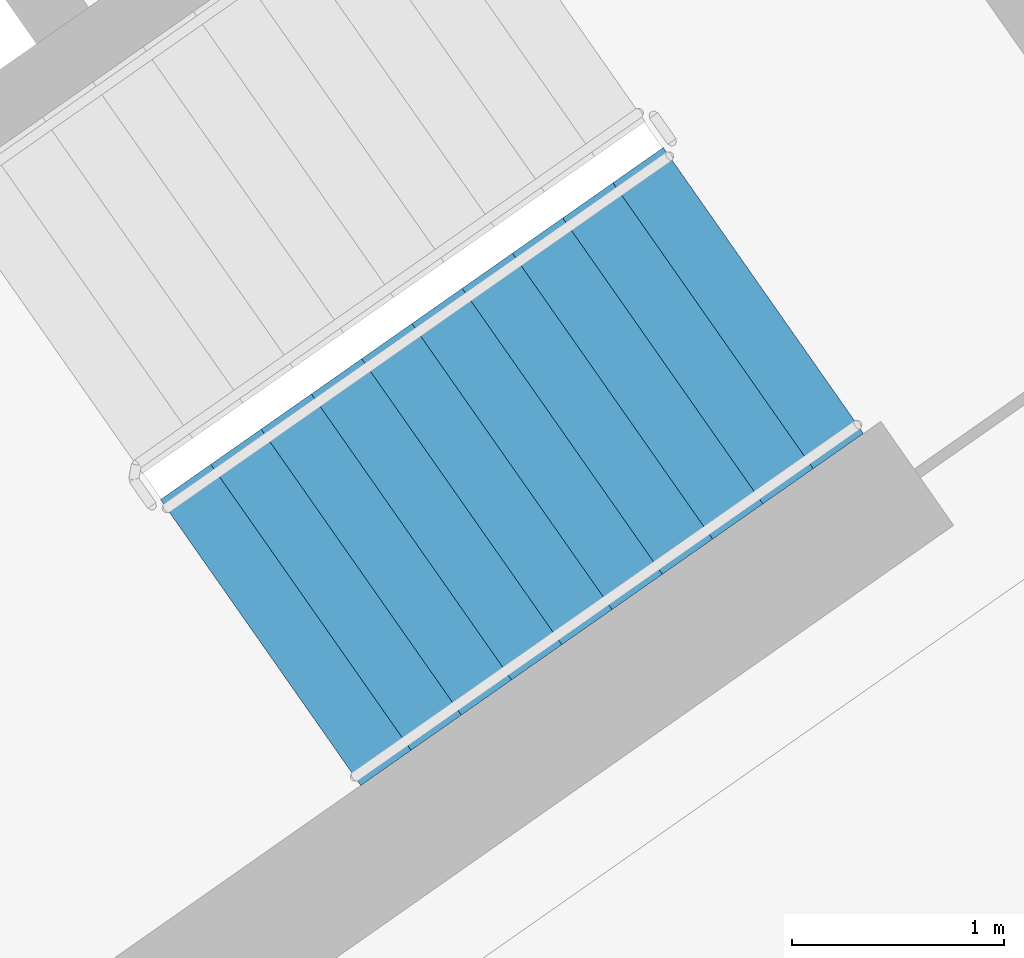
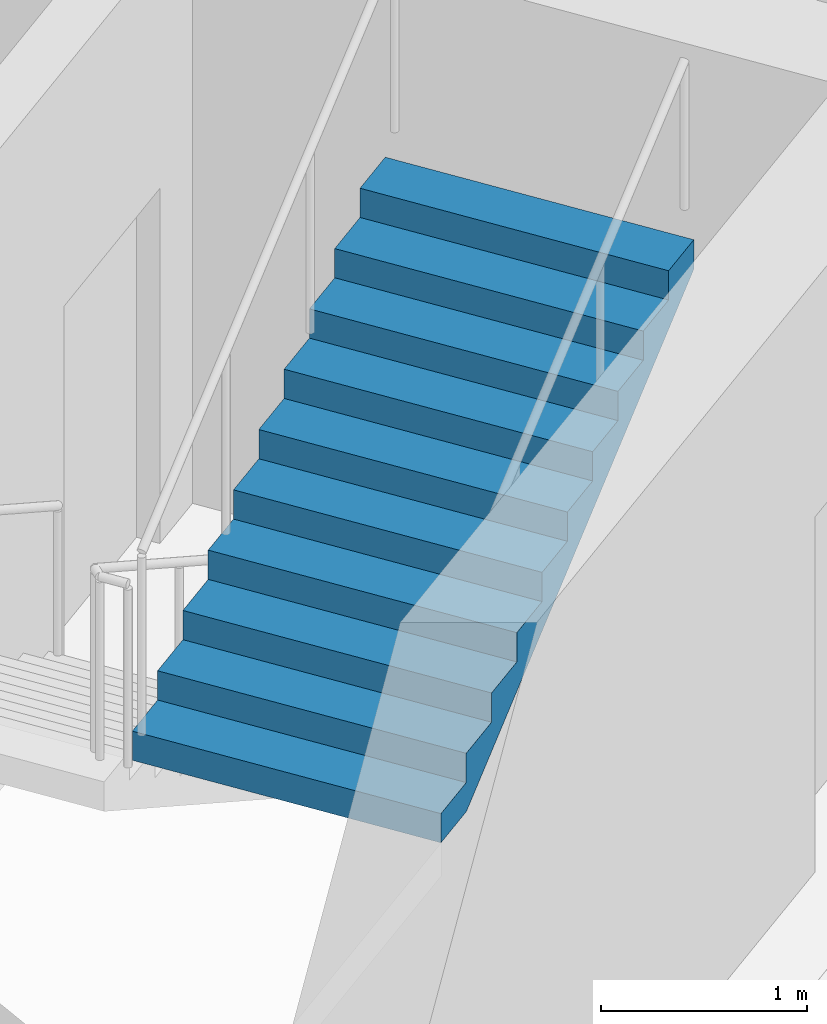
# One storey, part 15 of 26: 1 stair flight, 1 element without a shape of its own.
"""IFC4 building model written with IfcOpenShell, lengths in metres."""

from ifc_helpers import new_model, si_unit, direction, frame, origin, place, context, subcontext, project, spatial, faceted_brep, material, type_object, element, aggregate, save


model = new_model("IFC4")

# Units and contexts
model_context = context("Model", 3, precision=1e-05, world=origin(), true_north=direction((0.0, 1.0)))
body_context = subcontext(model_context, "Body", "Model", "MODEL_VIEW")
ifc_project = project(units=[si_unit("LENGTHUNIT", "METRE"), si_unit("AREAUNIT", "SQUARE_METRE"), si_unit("VOLUMEUNIT", "CUBIC_METRE"), si_unit("PLANEANGLEUNIT", "RADIAN"), si_unit("MASSUNIT", "GRAM", prefix="KILO")], contexts=[model_context])

# Site, building, storey
site_placement = place(None, origin())
site = spatial("IfcSite", under=ifc_project, at=site_placement, CompositionType="ELEMENT")
building_placement = place(site_placement, origin())
building = spatial("IfcBuilding", under=site, at=building_placement, Name="Qamariyya Broadcast Tower", CompositionType="ELEMENT")
storey_placement = place(building_placement, frame((0.0, 0.0, 183.5)))
storey = spatial("IfcBuildingStorey", under=building, at=storey_placement, Name="L43", CompositionType="ELEMENT", Elevation=183.5)

# Stair, stair flight
ifc_material = material(Name="Concrete C50/60", Category="concrete")
stair_type = type_object("IfcStairType", Name="Exit stair 22 risers of 173 mm", PredefinedType="HALF_TURN_STAIR", material=ifc_material)
stair_placement = place(storey_placement, origin())
stair = element("IfcStair", 1, at=stair_placement, inside=storey, type_object=stair_type, Name="L43 Stair E1", PredefinedType="HALF_TURN_STAIR")
stair_flight_type = type_object("IfcStairFlightType", Name="Exit stair flight 11 risers of 173 mm", PredefinedType="STRAIGHT", material=ifc_material)
stair_flight_placement = place(storey_placement, frame((44.693359375, -58.64599609375, 1.89990234375), z_axis=(0.0, 0.0, 1.0), x_axis=(0.819152044289, 0.573576436351, 0.0)))
stair_flight = element("IfcStairFlight", 2, at=stair_flight_placement, type_object=stair_flight_type, Name="ST-E1 flight 2", NumberOfRisers=11, NumberOfTreads=10, PredefinedType="STRAIGHT", RiserHeight=0.172727273, TreadLength=0.29, context=body_context, shape_type="Brep", body=[
    faceted_brep([(0.0, 0.824951171875, 0.0), (0.0, 0.824951171875, 0.172607421875), (0.2900390625, 0.824951171875, 0.172607421875), (0.2900390625, 0.824951171875, 0.345458984375), (0.580078125, 0.824951171875, 0.345458984375), (0.580078125, 0.824951171875, 0.51806640625), (0.8701171875, 0.824951171875, 0.51806640625), (0.8701171875, 0.824951171875, 0.69091796875), (1.159912109375, 0.824951171875, 0.69091796875), (1.159912109375, 0.824951171875, 0.863525390625), (1.449951171875, 0.824951171875, 0.863525390625), (1.449951171875, 0.824951171875, 1.036376953125), (1.739990234375, 0.824951171875, 1.036376953125), (1.739990234375, 0.824951171875, 1.208984375), (2.030029296875, 0.824951171875, 1.208984375), (2.030029296875, 0.824951171875, 1.3818359375), (2.320068359375, 0.824951171875, 1.3818359375), (2.320068359375, 0.824951171875, 1.554443359375), (2.610107421875, 0.824951171875, 1.554443359375), (2.610107421875, 0.824951171875, 1.727294921875), (2.89990234375, 0.824951171875, 1.727294921875), (2.89990234375, 0.824951171875, 1.552734375), (0.29296875, 0.824951171875, 0.0), (0.29296875, -0.824951171875, 0.0), (2.89990234375, -0.824951171875, 1.552734375), (2.89990234375, -0.824951171875, 1.727294921875), (2.610107421875, -0.824951171875, 1.727294921875), (2.610107421875, -0.824951171875, 1.554443359375), (2.320068359375, -0.824951171875, 1.554443359375), (2.320068359375, -0.824951171875, 1.3818359375), (2.030029296875, -0.824951171875, 1.3818359375), (2.030029296875, -0.824951171875, 1.208984375), (1.739990234375, -0.824951171875, 1.208984375), (1.739990234375, -0.824951171875, 1.036376953125), (1.449951171875, -0.824951171875, 1.036376953125), (1.449951171875, -0.824951171875, 0.863525390625), (1.159912109375, -0.824951171875, 0.863525390625), (1.159912109375, -0.824951171875, 0.69091796875), (0.8701171875, -0.824951171875, 0.69091796875), (0.8701171875, -0.824951171875, 0.51806640625), (0.580078125, -0.824951171875, 0.51806640625), (0.580078125, -0.824951171875, 0.345458984375), (0.2900390625, -0.824951171875, 0.345458984375), (0.2900390625, -0.824951171875, 0.172607421875), (0.0, -0.824951171875, 0.172607421875), (0.0, -0.824951171875, 0.0), (0.0, 0.10009765625, 0.0), (0.0, 0.086669921875, 0.0), (0.0, 0.0732421875, 0.0), (0.0, 0.06005859375, 0.0), (0.0, 0.046630859375, 0.0), (0.0, 0.033447265625, 0.0), (0.0, 0.02001953125, 0.0), (0.0, 0.006591796875, 0.0), (0.0, -0.006591796875, 0.0), (0.0, -0.02001953125, 0.0), (0.0, -0.033447265625, 0.0), (0.0, -0.046630859375, 0.0), (0.0, -0.06005859375, 0.0), (0.0, -0.0732421875, 0.0), (0.0, -0.086669921875, 0.0), (0.0, -0.10009765625, 0.0), (0.0, -0.10009765625, 0.172607421875), (0.0, -0.086669921875, 0.172607421875), (0.0, -0.0732421875, 0.172607421875), (0.0, -0.06005859375, 0.172607421875), (0.0, -0.046630859375, 0.172607421875), (0.0, -0.033447265625, 0.172607421875), (0.0, -0.02001953125, 0.172607421875), (0.0, -0.006591796875, 0.172607421875), (0.0, 0.006591796875, 0.172607421875), (0.0, 0.02001953125, 0.172607421875), (0.0, 0.033447265625, 0.172607421875), (0.0, 0.046630859375, 0.172607421875), (0.0, 0.06005859375, 0.172607421875), (0.0, 0.0732421875, 0.172607421875), (0.0, 0.086669921875, 0.172607421875), (0.0, 0.10009765625, 0.172607421875), (0.2900390625, -0.10009765625, 0.172607421875), (0.2900390625, -0.086669921875, 0.172607421875), (0.2900390625, -0.0732421875, 0.172607421875), (0.2900390625, -0.06005859375, 0.172607421875), (0.2900390625, -0.046630859375, 0.172607421875), (0.2900390625, -0.033447265625, 0.172607421875), (0.2900390625, -0.02001953125, 0.172607421875), (0.2900390625, -0.006591796875, 0.172607421875), (0.2900390625, 0.006591796875, 0.172607421875), (0.2900390625, 0.02001953125, 0.172607421875), (0.2900390625, 0.033447265625, 0.172607421875), (0.2900390625, 0.046630859375, 0.172607421875), (0.2900390625, 0.06005859375, 0.172607421875), (0.2900390625, 0.0732421875, 0.172607421875), (0.2900390625, 0.086669921875, 0.172607421875), (0.2900390625, 0.10009765625, 0.172607421875), (0.2900390625, -0.10009765625, 0.345458984375), (0.2900390625, -0.086669921875, 0.345458984375), (0.2900390625, -0.0732421875, 0.345458984375), (0.2900390625, -0.06005859375, 0.345458984375), (0.2900390625, -0.046630859375, 0.345458984375), (0.2900390625, -0.033447265625, 0.345458984375), (0.2900390625, -0.02001953125, 0.345458984375), (0.2900390625, -0.006591796875, 0.345458984375), (0.2900390625, 0.006591796875, 0.345458984375), (0.2900390625, 0.02001953125, 0.345458984375), (0.2900390625, 0.033447265625, 0.345458984375), (0.2900390625, 0.046630859375, 0.345458984375), (0.2900390625, 0.06005859375, 0.345458984375), (0.2900390625, 0.0732421875, 0.345458984375), (0.2900390625, 0.086669921875, 0.345458984375), (0.2900390625, 0.10009765625, 0.345458984375), (0.580078125, -0.10009765625, 0.345458984375), (0.580078125, -0.086669921875, 0.345458984375), (0.580078125, -0.0732421875, 0.345458984375), (0.580078125, -0.06005859375, 0.345458984375), (0.580078125, -0.046630859375, 0.345458984375), (0.580078125, -0.033447265625, 0.345458984375), (0.580078125, -0.02001953125, 0.345458984375), (0.580078125, -0.006591796875, 0.345458984375), (0.580078125, 0.006591796875, 0.345458984375), (0.580078125, 0.02001953125, 0.345458984375), (0.580078125, 0.033447265625, 0.345458984375), (0.580078125, 0.046630859375, 0.345458984375), (0.580078125, 0.06005859375, 0.345458984375), (0.580078125, 0.0732421875, 0.345458984375), (0.580078125, 0.086669921875, 0.345458984375), (0.580078125, 0.10009765625, 0.345458984375), (0.580078125, -0.10009765625, 0.51806640625), (0.580078125, -0.086669921875, 0.51806640625), (0.580078125, -0.0732421875, 0.51806640625), (0.580078125, -0.06005859375, 0.51806640625), (0.580078125, -0.046630859375, 0.51806640625), (0.580078125, -0.033447265625, 0.51806640625), (0.580078125, -0.02001953125, 0.51806640625), (0.580078125, -0.006591796875, 0.51806640625), (0.580078125, 0.006591796875, 0.51806640625), (0.580078125, 0.02001953125, 0.51806640625), (0.580078125, 0.033447265625, 0.51806640625), (0.580078125, 0.046630859375, 0.51806640625), (0.580078125, 0.06005859375, 0.51806640625), (0.580078125, 0.0732421875, 0.51806640625), (0.580078125, 0.086669921875, 0.51806640625), (0.580078125, 0.10009765625, 0.51806640625), (0.8701171875, -0.10009765625, 0.51806640625), (0.8701171875, -0.086669921875, 0.51806640625), (0.8701171875, -0.0732421875, 0.51806640625), (0.8701171875, -0.06005859375, 0.51806640625), (0.8701171875, -0.046630859375, 0.51806640625), (0.8701171875, -0.033447265625, 0.51806640625), (0.8701171875, -0.02001953125, 0.51806640625), (0.8701171875, -0.006591796875, 0.51806640625), (0.8701171875, 0.006591796875, 0.51806640625), (0.8701171875, 0.02001953125, 0.51806640625), (0.8701171875, 0.033447265625, 0.51806640625), (0.8701171875, 0.046630859375, 0.51806640625), (0.8701171875, 0.06005859375, 0.51806640625), (0.8701171875, 0.0732421875, 0.51806640625), (0.8701171875, 0.086669921875, 0.51806640625), (0.8701171875, 0.10009765625, 0.51806640625), (0.8701171875, -0.10009765625, 0.69091796875), (0.8701171875, -0.086669921875, 0.69091796875), (0.8701171875, -0.0732421875, 0.69091796875), (0.8701171875, -0.06005859375, 0.69091796875), (0.8701171875, -0.046630859375, 0.69091796875), (0.8701171875, -0.033447265625, 0.69091796875), (0.8701171875, -0.02001953125, 0.69091796875), (0.8701171875, -0.006591796875, 0.69091796875), (0.8701171875, 0.006591796875, 0.69091796875), (0.8701171875, 0.02001953125, 0.69091796875), (0.8701171875, 0.033447265625, 0.69091796875), (0.8701171875, 0.046630859375, 0.69091796875), (0.8701171875, 0.06005859375, 0.69091796875), (0.8701171875, 0.0732421875, 0.69091796875), (0.8701171875, 0.086669921875, 0.69091796875), (0.8701171875, 0.10009765625, 0.69091796875), (1.159912109375, -0.10009765625, 0.69091796875), (1.159912109375, -0.086669921875, 0.69091796875), (1.159912109375, -0.0732421875, 0.69091796875), (1.159912109375, -0.06005859375, 0.69091796875), (1.159912109375, -0.046630859375, 0.69091796875), (1.159912109375, -0.033447265625, 0.69091796875), (1.159912109375, -0.02001953125, 0.69091796875), (1.159912109375, -0.006591796875, 0.69091796875), (1.159912109375, 0.006591796875, 0.69091796875), (1.159912109375, 0.02001953125, 0.69091796875), (1.159912109375, 0.033447265625, 0.69091796875), (1.159912109375, 0.046630859375, 0.69091796875), (1.159912109375, 0.06005859375, 0.69091796875), (1.159912109375, 0.0732421875, 0.69091796875), (1.159912109375, 0.086669921875, 0.69091796875), (1.159912109375, 0.10009765625, 0.69091796875), (1.159912109375, -0.10009765625, 0.863525390625), (1.159912109375, -0.086669921875, 0.863525390625), (1.159912109375, -0.0732421875, 0.863525390625), (1.159912109375, -0.06005859375, 0.863525390625), (1.159912109375, -0.046630859375, 0.863525390625), (1.159912109375, -0.033447265625, 0.863525390625), (1.159912109375, -0.02001953125, 0.863525390625), (1.159912109375, -0.006591796875, 0.863525390625), (1.159912109375, 0.006591796875, 0.863525390625), (1.159912109375, 0.02001953125, 0.863525390625), (1.159912109375, 0.033447265625, 0.863525390625), (1.159912109375, 0.046630859375, 0.863525390625), (1.159912109375, 0.06005859375, 0.863525390625), (1.159912109375, 0.0732421875, 0.863525390625), (1.159912109375, 0.086669921875, 0.863525390625), (1.159912109375, 0.10009765625, 0.863525390625), (1.449951171875, -0.10009765625, 0.863525390625), (1.449951171875, -0.086669921875, 0.863525390625), (1.449951171875, -0.0732421875, 0.863525390625), (1.449951171875, -0.06005859375, 0.863525390625), (1.449951171875, -0.046630859375, 0.863525390625), (1.449951171875, -0.033447265625, 0.863525390625), (1.449951171875, -0.02001953125, 0.863525390625), (1.449951171875, -0.006591796875, 0.863525390625), (1.449951171875, 0.006591796875, 0.863525390625), (1.449951171875, 0.02001953125, 0.863525390625), (1.449951171875, 0.033447265625, 0.863525390625), (1.449951171875, 0.046630859375, 0.863525390625), (1.449951171875, 0.06005859375, 0.863525390625), (1.449951171875, 0.0732421875, 0.863525390625), (1.449951171875, 0.086669921875, 0.863525390625), (1.449951171875, 0.10009765625, 0.863525390625), (1.449951171875, -0.10009765625, 1.036376953125), (1.449951171875, -0.086669921875, 1.036376953125), (1.449951171875, -0.0732421875, 1.036376953125), (1.449951171875, -0.06005859375, 1.036376953125), (1.449951171875, -0.046630859375, 1.036376953125), (1.449951171875, -0.033447265625, 1.036376953125), (1.449951171875, -0.02001953125, 1.036376953125), (1.449951171875, -0.006591796875, 1.036376953125), (1.449951171875, 0.006591796875, 1.036376953125), (1.449951171875, 0.02001953125, 1.036376953125), (1.449951171875, 0.033447265625, 1.036376953125), (1.449951171875, 0.046630859375, 1.036376953125), (1.449951171875, 0.06005859375, 1.036376953125), (1.449951171875, 0.0732421875, 1.036376953125), (1.449951171875, 0.086669921875, 1.036376953125), (1.449951171875, 0.10009765625, 1.036376953125), (1.739990234375, -0.10009765625, 1.036376953125), (1.739990234375, -0.086669921875, 1.036376953125), (1.739990234375, -0.0732421875, 1.036376953125), (1.739990234375, -0.06005859375, 1.036376953125), (1.739990234375, -0.046630859375, 1.036376953125), (1.739990234375, -0.033447265625, 1.036376953125), (1.739990234375, -0.02001953125, 1.036376953125), (1.739990234375, -0.006591796875, 1.036376953125), (1.739990234375, 0.006591796875, 1.036376953125), (1.739990234375, 0.02001953125, 1.036376953125), (1.739990234375, 0.033447265625, 1.036376953125), (1.739990234375, 0.046630859375, 1.036376953125), (1.739990234375, 0.06005859375, 1.036376953125), (1.739990234375, 0.0732421875, 1.036376953125), (1.739990234375, 0.086669921875, 1.036376953125), (1.739990234375, 0.10009765625, 1.036376953125), (1.739990234375, -0.10009765625, 1.208984375), (1.739990234375, -0.086669921875, 1.208984375), (1.739990234375, -0.0732421875, 1.208984375), (1.739990234375, -0.06005859375, 1.208984375), (1.739990234375, -0.046630859375, 1.208984375), (1.739990234375, -0.033447265625, 1.208984375), (1.739990234375, -0.02001953125, 1.208984375), (1.739990234375, -0.006591796875, 1.208984375), (1.739990234375, 0.006591796875, 1.208984375), (1.739990234375, 0.02001953125, 1.208984375), (1.739990234375, 0.033447265625, 1.208984375), (1.739990234375, 0.046630859375, 1.208984375), (1.739990234375, 0.06005859375, 1.208984375), (1.739990234375, 0.0732421875, 1.208984375), (1.739990234375, 0.086669921875, 1.208984375), (1.739990234375, 0.10009765625, 1.208984375), (2.030029296875, -0.10009765625, 1.208984375), (2.030029296875, -0.086669921875, 1.208984375), (2.030029296875, -0.0732421875, 1.208984375), (2.030029296875, -0.06005859375, 1.208984375), (2.030029296875, -0.046630859375, 1.208984375), (2.030029296875, -0.033447265625, 1.208984375), (2.030029296875, -0.02001953125, 1.208984375), (2.030029296875, -0.006591796875, 1.208984375), (2.030029296875, 0.006591796875, 1.208984375), (2.030029296875, 0.02001953125, 1.208984375), (2.030029296875, 0.033447265625, 1.208984375), (2.030029296875, 0.046630859375, 1.208984375), (2.030029296875, 0.06005859375, 1.208984375), (2.030029296875, 0.0732421875, 1.208984375), (2.030029296875, 0.086669921875, 1.208984375), (2.030029296875, 0.10009765625, 1.208984375), (2.030029296875, -0.10009765625, 1.3818359375), (2.030029296875, -0.086669921875, 1.3818359375), (2.030029296875, -0.0732421875, 1.3818359375), (2.030029296875, -0.06005859375, 1.3818359375), (2.030029296875, -0.046630859375, 1.3818359375), (2.030029296875, -0.033447265625, 1.3818359375), (2.030029296875, -0.02001953125, 1.3818359375), (2.030029296875, -0.006591796875, 1.3818359375), (2.030029296875, 0.006591796875, 1.3818359375), (2.030029296875, 0.02001953125, 1.3818359375), (2.030029296875, 0.033447265625, 1.3818359375), (2.030029296875, 0.046630859375, 1.3818359375), (2.030029296875, 0.06005859375, 1.3818359375), (2.030029296875, 0.0732421875, 1.3818359375), (2.030029296875, 0.086669921875, 1.3818359375), (2.030029296875, 0.10009765625, 1.3818359375), (2.320068359375, -0.10009765625, 1.3818359375), (2.320068359375, -0.086669921875, 1.3818359375), (2.320068359375, -0.0732421875, 1.3818359375), (2.320068359375, -0.06005859375, 1.3818359375), (2.320068359375, -0.046630859375, 1.3818359375), (2.320068359375, -0.033447265625, 1.3818359375), (2.320068359375, -0.02001953125, 1.3818359375), (2.320068359375, -0.006591796875, 1.3818359375), (2.320068359375, 0.006591796875, 1.3818359375), (2.320068359375, 0.02001953125, 1.3818359375), (2.320068359375, 0.033447265625, 1.3818359375), (2.320068359375, 0.046630859375, 1.3818359375), (2.320068359375, 0.06005859375, 1.3818359375), (2.320068359375, 0.0732421875, 1.3818359375), (2.320068359375, 0.086669921875, 1.3818359375), (2.320068359375, 0.10009765625, 1.3818359375), (2.320068359375, -0.10009765625, 1.554443359375), (2.320068359375, -0.086669921875, 1.554443359375), (2.320068359375, -0.0732421875, 1.554443359375), (2.320068359375, -0.06005859375, 1.554443359375), (2.320068359375, -0.046630859375, 1.554443359375), (2.320068359375, -0.033447265625, 1.554443359375), (2.320068359375, -0.02001953125, 1.554443359375), (2.320068359375, -0.006591796875, 1.554443359375), (2.320068359375, 0.006591796875, 1.554443359375), (2.320068359375, 0.02001953125, 1.554443359375), (2.320068359375, 0.033447265625, 1.554443359375), (2.320068359375, 0.046630859375, 1.554443359375), (2.320068359375, 0.06005859375, 1.554443359375), (2.320068359375, 0.0732421875, 1.554443359375), (2.320068359375, 0.086669921875, 1.554443359375), (2.320068359375, 0.10009765625, 1.554443359375), (2.610107421875, -0.10009765625, 1.554443359375), (2.610107421875, -0.086669921875, 1.554443359375), (2.610107421875, -0.0732421875, 1.554443359375), (2.610107421875, -0.06005859375, 1.554443359375), (2.610107421875, -0.046630859375, 1.554443359375), (2.610107421875, -0.033447265625, 1.554443359375), (2.610107421875, -0.02001953125, 1.554443359375), (2.610107421875, -0.006591796875, 1.554443359375), (2.610107421875, 0.006591796875, 1.554443359375), (2.610107421875, 0.02001953125, 1.554443359375), (2.610107421875, 0.033447265625, 1.554443359375), (2.610107421875, 0.046630859375, 1.554443359375), (2.610107421875, 0.06005859375, 1.554443359375), (2.610107421875, 0.0732421875, 1.554443359375), (2.610107421875, 0.086669921875, 1.554443359375), (2.610107421875, 0.10009765625, 1.554443359375), (2.610107421875, -0.10009765625, 1.727294921875), (2.610107421875, -0.086669921875, 1.727294921875), (2.610107421875, -0.0732421875, 1.727294921875), (2.610107421875, -0.06005859375, 1.727294921875), (2.610107421875, -0.046630859375, 1.727294921875), (2.610107421875, -0.033447265625, 1.727294921875), (2.610107421875, -0.02001953125, 1.727294921875), (2.610107421875, -0.006591796875, 1.727294921875), (2.610107421875, 0.006591796875, 1.727294921875), (2.610107421875, 0.02001953125, 1.727294921875), (2.610107421875, 0.033447265625, 1.727294921875), (2.610107421875, 0.046630859375, 1.727294921875), (2.610107421875, 0.06005859375, 1.727294921875), (2.610107421875, 0.0732421875, 1.727294921875), (2.610107421875, 0.086669921875, 1.727294921875), (2.610107421875, 0.10009765625, 1.727294921875), (2.89990234375, -0.10009765625, 1.727294921875), (2.89990234375, -0.086669921875, 1.727294921875), (2.89990234375, -0.0732421875, 1.727294921875), (2.89990234375, -0.06005859375, 1.727294921875), (2.89990234375, -0.046630859375, 1.727294921875), (2.89990234375, -0.033447265625, 1.727294921875), (2.89990234375, -0.02001953125, 1.727294921875), (2.89990234375, -0.006591796875, 1.727294921875), (2.89990234375, 0.006591796875, 1.727294921875), (2.89990234375, 0.02001953125, 1.727294921875), (2.89990234375, 0.033447265625, 1.727294921875), (2.89990234375, 0.046630859375, 1.727294921875), (2.89990234375, 0.06005859375, 1.727294921875), (2.89990234375, 0.0732421875, 1.727294921875), (2.89990234375, 0.086669921875, 1.727294921875), (2.89990234375, 0.10009765625, 1.727294921875), (2.89990234375, -0.10009765625, 1.552734375), (2.89990234375, -0.086669921875, 1.552734375), (2.89990234375, -0.0732421875, 1.552734375), (2.89990234375, -0.06005859375, 1.552734375), (2.89990234375, -0.046630859375, 1.552734375), (2.89990234375, -0.033447265625, 1.552734375), (2.89990234375, -0.02001953125, 1.552734375), (2.89990234375, -0.006591796875, 1.552734375), (2.89990234375, 0.006591796875, 1.552734375), (2.89990234375, 0.02001953125, 1.552734375), (2.89990234375, 0.033447265625, 1.552734375), (2.89990234375, 0.046630859375, 1.552734375), (2.89990234375, 0.06005859375, 1.552734375), (2.89990234375, 0.0732421875, 1.552734375), (2.89990234375, 0.086669921875, 1.552734375), (2.89990234375, 0.10009765625, 1.552734375), (0.29296875, -0.10009765625, 0.0), (0.29296875, -0.086669921875, 0.0), (0.29296875, -0.0732421875, 0.0), (0.29296875, -0.06005859375, 0.0), (0.29296875, -0.046630859375, 0.0), (0.29296875, -0.033447265625, 0.0), (0.29296875, -0.02001953125, 0.0), (0.29296875, -0.006591796875, 0.0), (0.29296875, 0.006591796875, 0.0), (0.29296875, 0.02001953125, 0.0), (0.29296875, 0.033447265625, 0.0), (0.29296875, 0.046630859375, 0.0), (0.29296875, 0.06005859375, 0.0), (0.29296875, 0.0732421875, 0.0), (0.29296875, 0.086669921875, 0.0), (0.29296875, 0.10009765625, 0.0)], [[[0, 1, 2, 3, 4, 5, 6, 7, 8, 9, 10, 11, 12, 13, 14, 15, 16, 17, 18, 19, 20, 21, 22]], [[23, 24, 25, 26, 27, 28, 29, 30, 31, 32, 33, 34, 35, 36, 37, 38, 39, 40, 41, 42, 43, 44, 45]], [[0, 46, 47, 48, 49, 50, 51, 52, 53, 54, 55, 56, 57, 58, 59, 60, 61, 45, 44, 62, 63, 64, 65, 66, 67, 68, 69, 70, 71, 72, 73, 74, 75, 76, 77, 1]], [[1, 77, 76, 75, 74, 73, 72, 71, 70, 69, 68, 67, 66, 65, 64, 63, 62, 44, 43, 78, 79, 80, 81, 82, 83, 84, 85, 86, 87, 88, 89, 90, 91, 92, 93, 2]], [[2, 93, 92, 91, 90, 89, 88, 87, 86, 85, 84, 83, 82, 81, 80, 79, 78, 43, 42, 94, 95, 96, 97, 98, 99, 100, 101, 102, 103, 104, 105, 106, 107, 108, 109, 3]], [[3, 109, 108, 107, 106, 105, 104, 103, 102, 101, 100, 99, 98, 97, 96, 95, 94, 42, 41, 110, 111, 112, 113, 114, 115, 116, 117, 118, 119, 120, 121, 122, 123, 124, 125, 4]], [[4, 125, 124, 123, 122, 121, 120, 119, 118, 117, 116, 115, 114, 113, 112, 111, 110, 41, 40, 126, 127, 128, 129, 130, 131, 132, 133, 134, 135, 136, 137, 138, 139, 140, 141, 5]], [[5, 141, 140, 139, 138, 137, 136, 135, 134, 133, 132, 131, 130, 129, 128, 127, 126, 40, 39, 142, 143, 144, 145, 146, 147, 148, 149, 150, 151, 152, 153, 154, 155, 156, 157, 6]], [[6, 157, 156, 155, 154, 153, 152, 151, 150, 149, 148, 147, 146, 145, 144, 143, 142, 39, 38, 158, 159, 160, 161, 162, 163, 164, 165, 166, 167, 168, 169, 170, 171, 172, 173, 7]], [[7, 173, 172, 171, 170, 169, 168, 167, 166, 165, 164, 163, 162, 161, 160, 159, 158, 38, 37, 174, 175, 176, 177, 178, 179, 180, 181, 182, 183, 184, 185, 186, 187, 188, 189, 8]], [[8, 189, 188, 187, 186, 185, 184, 183, 182, 181, 180, 179, 178, 177, 176, 175, 174, 37, 36, 190, 191, 192, 193, 194, 195, 196, 197, 198, 199, 200, 201, 202, 203, 204, 205, 9]], [[9, 205, 204, 203, 202, 201, 200, 199, 198, 197, 196, 195, 194, 193, 192, 191, 190, 36, 35, 206, 207, 208, 209, 210, 211, 212, 213, 214, 215, 216, 217, 218, 219, 220, 221, 10]], [[10, 221, 220, 219, 218, 217, 216, 215, 214, 213, 212, 211, 210, 209, 208, 207, 206, 35, 34, 222, 223, 224, 225, 226, 227, 228, 229, 230, 231, 232, 233, 234, 235, 236, 237, 11]], [[11, 237, 236, 235, 234, 233, 232, 231, 230, 229, 228, 227, 226, 225, 224, 223, 222, 34, 33, 238, 239, 240, 241, 242, 243, 244, 245, 246, 247, 248, 249, 250, 251, 252, 253, 12]], [[12, 253, 252, 251, 250, 249, 248, 247, 246, 245, 244, 243, 242, 241, 240, 239, 238, 33, 32, 254, 255, 256, 257, 258, 259, 260, 261, 262, 263, 264, 265, 266, 267, 268, 269, 13]], [[13, 269, 268, 267, 266, 265, 264, 263, 262, 261, 260, 259, 258, 257, 256, 255, 254, 32, 31, 270, 271, 272, 273, 274, 275, 276, 277, 278, 279, 280, 281, 282, 283, 284, 285, 14]], [[14, 285, 284, 283, 282, 281, 280, 279, 278, 277, 276, 275, 274, 273, 272, 271, 270, 31, 30, 286, 287, 288, 289, 290, 291, 292, 293, 294, 295, 296, 297, 298, 299, 300, 301, 15]], [[15, 301, 300, 299, 298, 297, 296, 295, 294, 293, 292, 291, 290, 289, 288, 287, 286, 30, 29, 302, 303, 304, 305, 306, 307, 308, 309, 310, 311, 312, 313, 314, 315, 316, 317, 16]], [[16, 317, 316, 315, 314, 313, 312, 311, 310, 309, 308, 307, 306, 305, 304, 303, 302, 29, 28, 318, 319, 320, 321, 322, 323, 324, 325, 326, 327, 328, 329, 330, 331, 332, 333, 17]], [[17, 333, 332, 331, 330, 329, 328, 327, 326, 325, 324, 323, 322, 321, 320, 319, 318, 28, 27, 334, 335, 336, 337, 338, 339, 340, 341, 342, 343, 344, 345, 346, 347, 348, 349, 18]], [[18, 349, 348, 347, 346, 345, 344, 343, 342, 341, 340, 339, 338, 337, 336, 335, 334, 27, 26, 350, 351, 352, 353, 354, 355, 356, 357, 358, 359, 360, 361, 362, 363, 364, 365, 19]], [[19, 365, 364, 363, 362, 361, 360, 359, 358, 357, 356, 355, 354, 353, 352, 351, 350, 26, 25, 366, 367, 368, 369, 370, 371, 372, 373, 374, 375, 376, 377, 378, 379, 380, 381, 20]], [[20, 381, 380, 379, 378, 377, 376, 375, 374, 373, 372, 371, 370, 369, 368, 367, 366, 25, 24, 382, 383, 384, 385, 386, 387, 388, 389, 390, 391, 392, 393, 394, 395, 396, 397, 21]], [[21, 397, 396, 395, 394, 393, 392, 391, 390, 389, 388, 387, 386, 385, 384, 383, 382, 24, 23, 398, 399, 400, 401, 402, 403, 404, 405, 406, 407, 408, 409, 410, 411, 412, 413, 22]], [[22, 413, 412, 411, 410, 409, 408, 407, 406, 405, 404, 403, 402, 401, 400, 399, 398, 23, 45, 61, 60, 59, 58, 57, 56, 55, 54, 53, 52, 51, 50, 49, 48, 47, 46, 0]]]),
])
aggregate(stair, [stair_flight])

save(model, "model.ifc")
